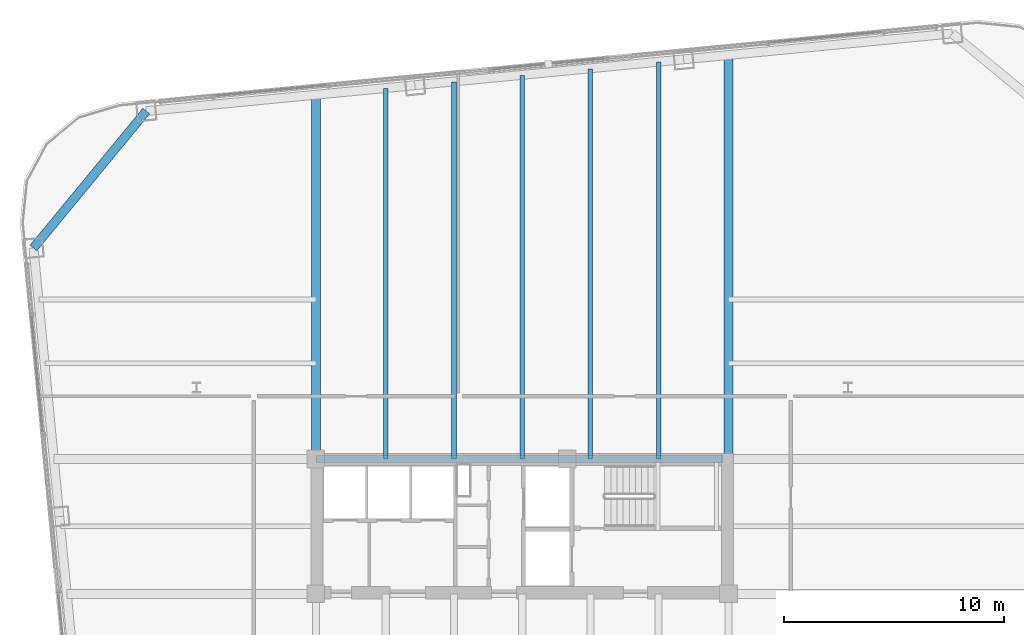
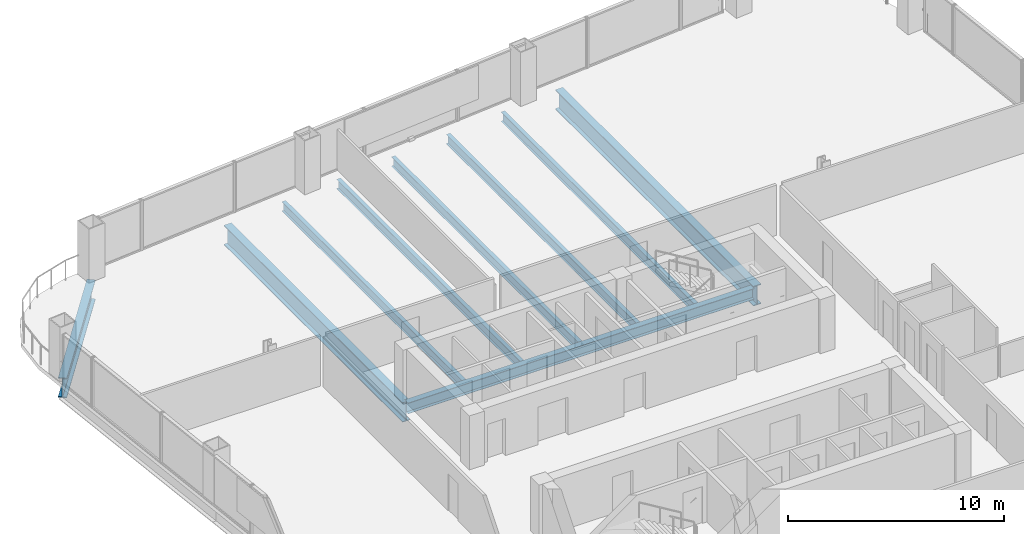
# One storey, part 15 of 26: 9 beams.
"""IFC4 building model written with IfcOpenShell, lengths in metres."""

from ifc_helpers import new_model, si_unit, direction, frame, origin, origin_2d, place, context, subcontext, project, spatial, i_section, extrude, material, material_profile, profile_set, type_object, element, save


model = new_model("IFC4")

# Units and contexts
model_context = context("Model", 3, precision=1e-05, world=origin(), true_north=direction((0.0, 1.0)))
body_context = subcontext(model_context, "Body", "Model", "MODEL_VIEW")
ifc_project = project(units=[si_unit("LENGTHUNIT", "METRE"), si_unit("AREAUNIT", "SQUARE_METRE"), si_unit("VOLUMEUNIT", "CUBIC_METRE"), si_unit("PLANEANGLEUNIT", "RADIAN"), si_unit("MASSUNIT", "GRAM", prefix="KILO")], contexts=[model_context])

# Site, building, storey
site_placement = place(None, origin())
site = spatial("IfcSite", under=ifc_project, at=site_placement, CompositionType="ELEMENT")
building_placement = place(site_placement, origin())
building = spatial("IfcBuilding", under=site, at=building_placement, Name="Qhalaya Broadcast Tower", CompositionType="ELEMENT")
storey_placement = place(building_placement, frame((0.0, 0.0, 72.5)))
storey = spatial("IfcBuildingStorey", under=building, at=storey_placement, Name="L20", CompositionType="ELEMENT", Elevation=72.5)

# Beams
ifc_material = material(Name="Structural Steel ASTM A992 Grade 50", Category="steel")
ifc_material_profile_1 = material_profile(ifc_material, i_section(OverallWidth=0.2099609375, OverallDepth=0.535888671875, WebThickness=0.010986328125, FlangeThickness=0.017333984375, at=origin_2d()), Name="W21X68")
ifc_profile_set_1 = profile_set([ifc_material_profile_1], Name="Structural Steel ASTM A992 Grade 50")
beam_type_1 = type_object("IfcBeamType", Name="Composite Floor Joist J02", PredefinedType="JOIST", material=ifc_profile_set_1)
beam_1_placement = place(storey_placement, frame((-6.199951171875, 9.949951171875, -0.488037109375), z_axis=(0.0, 1.0, 0.0), x_axis=(-1.0, 0.0, 0.0)))
element("IfcBeam", 1, at=beam_1_placement, inside=storey, type_object=beam_type_1, Name="L20 J02 L20-JNN1-1", PredefinedType="JOIST", context=body_context, shape_type="SweptSolid", body=[
    extrude(i_section(OverallWidth=0.2099609375, OverallDepth=0.535888671875, WebThickness=0.010986328125, FlangeThickness=0.017333984375, at=origin_2d()), origin(), (0.0, 0.0, 1.0), 16.843505859375),
])
beam_2_placement = place(storey_placement, frame((-3.10009765625, 9.949951171875, -0.488037109375), z_axis=(0.0, 1.0, 0.0), x_axis=(-1.0, 0.0, 0.0)))
element("IfcBeam", 2, at=beam_2_placement, inside=storey, type_object=beam_type_1, Name="L20 J02 L20-JNN2-1", PredefinedType="JOIST", context=body_context, shape_type="SweptSolid", body=[
    extrude(i_section(OverallWidth=0.2099609375, OverallDepth=0.535888671875, WebThickness=0.010986328125, FlangeThickness=0.017333984375, at=origin_2d()), origin(), (0.0, 0.0, 1.0), 17.14208984375),
])
beam_3_placement = place(storey_placement, frame((0.0, 9.949951171875, -0.488037109375), z_axis=(0.0, 1.0, 0.0), x_axis=(-1.0, 0.0, 0.0)))
element("IfcBeam", 3, at=beam_3_placement, inside=storey, type_object=beam_type_1, Name="L20 J02 L20-JNN3-1", PredefinedType="JOIST", context=body_context, shape_type="SweptSolid", body=[
    extrude(i_section(OverallWidth=0.2099609375, OverallDepth=0.535888671875, WebThickness=0.010986328125, FlangeThickness=0.017333984375, at=origin_2d()), origin(), (0.0, 0.0, 1.0), 17.4404296875),
])
beam_4_placement = place(storey_placement, frame((3.10009765625, 9.949951171875, -0.488037109375), z_axis=(0.0, 1.0, 0.0), x_axis=(-1.0, 0.0, 0.0)))
element("IfcBeam", 4, at=beam_4_placement, inside=storey, type_object=beam_type_1, Name="L20 J02 L20-JNN4-1", PredefinedType="JOIST", context=body_context, shape_type="SweptSolid", body=[
    extrude(i_section(OverallWidth=0.2099609375, OverallDepth=0.535888671875, WebThickness=0.010986328125, FlangeThickness=0.017333984375, at=origin_2d()), origin(), (0.0, 0.0, 1.0), 17.739013671875),
])
beam_5_placement = place(storey_placement, frame((6.199951171875, 9.949951171875, -0.488037109375), z_axis=(0.0, 1.0, 0.0), x_axis=(-1.0, 0.0, 0.0)))
element("IfcBeam", 5, at=beam_5_placement, inside=storey, type_object=beam_type_1, Name="L20 J02 L20-JNN5-1", PredefinedType="JOIST", context=body_context, shape_type="SweptSolid", body=[
    extrude(i_section(OverallWidth=0.2099609375, OverallDepth=0.535888671875, WebThickness=0.010986328125, FlangeThickness=0.017333984375, at=origin_2d()), origin(), (0.0, 0.0, 1.0), 18.03759765625),
])
ifc_material_profile_2 = material_profile(ifc_material, i_section(OverallWidth=0.323974609375, OverallDepth=0.612060546875, WebThickness=0.0126953125, FlangeThickness=0.01904296875, at=origin_2d()), Name="W24X104")
ifc_profile_set_2 = profile_set([ifc_material_profile_2], Name="Structural Steel ASTM A992 Grade 50")
beam_type_2 = type_object("IfcBeamType", Name="Core Frame Tie Beam B04", PredefinedType="BEAM", material=ifc_profile_set_2)
beam_6_placement = place(storey_placement, frame((-9.375, 9.949951171875, -0.52587890625), z_axis=(1.0, 0.0, 0.0), x_axis=(0.0, 1.0, 0.0)))
element("IfcBeam", 6, at=beam_6_placement, inside=storey, type_object=beam_type_2, Name="L20 B04 L20-CCN3", PredefinedType="BEAM", context=body_context, shape_type="SweptSolid", body=[
    extrude(i_section(OverallWidth=0.323974609375, OverallDepth=0.612060546875, WebThickness=0.0126953125, FlangeThickness=0.01904296875, at=origin_2d()), origin(), (0.0, 0.0, 1.0), 18.4951171875),
])
ifc_material_profile_3 = material_profile(ifc_material, i_section(OverallWidth=0.404052734375, OverallDepth=1.117919921875, WebThickness=0.026123046875, FlangeThickness=0.044921875, at=origin_2d()), Name="W44X335")
ifc_profile_set_3 = profile_set([ifc_material_profile_3], Name="Structural Steel ASTM A992 Grade 50")
beam_type_3 = type_object("IfcBeamType", Name="Podium Long-Span Primary Girder PG1", PredefinedType="USERDEFINED", material=ifc_profile_set_3)
beam_7_placement = place(storey_placement, frame((-17.085205078125, 25.765380859375, -0.779052734375), z_axis=(-0.636085107008, -0.771618906354, 0.0), x_axis=(0.771618906354, -0.636085107008, 0.0)))
element("IfcBeam", 7, at=beam_7_placement, inside=storey, type_object=beam_type_3, Name="L20 PG1 L20-SPR-12", ObjectType="GIRDER", PredefinedType="USERDEFINED", context=body_context, shape_type="SweptSolid", body=[
    extrude(i_section(OverallWidth=0.404052734375, OverallDepth=1.117919921875, WebThickness=0.026123046875, FlangeThickness=0.044921875, at=origin_2d()), origin(), (0.0, 0.0, 1.0), 8.06103515625),
])
beam_8_placement = place(storey_placement, frame((-9.375, 9.949951171875, -0.779052734375), z_axis=(0.0, 1.0, 0.0), x_axis=(-1.0, 0.0, 0.0)))
element("IfcBeam", 8, at=beam_8_placement, inside=storey, type_object=beam_type_3, Name="L20 PG1 L20-PGXN1-1", ObjectType="GIRDER", PredefinedType="USERDEFINED", context=body_context, shape_type="SweptSolid", body=[
    extrude(i_section(OverallWidth=0.404052734375, OverallDepth=1.117919921875, WebThickness=0.026123046875, FlangeThickness=0.044921875, at=origin_2d()), origin(), (0.0, 0.0, 1.0), 16.537841796875),
])
beam_9_placement = place(storey_placement, frame((9.375, 9.949951171875, -0.779052734375), z_axis=(0.0, 1.0, 0.0), x_axis=(-1.0, 0.0, 0.0)))
element("IfcBeam", 9, at=beam_9_placement, inside=storey, type_object=beam_type_3, Name="L20 PG1 L20-PGXN2-1", ObjectType="GIRDER", PredefinedType="USERDEFINED", context=body_context, shape_type="SweptSolid", body=[
    extrude(i_section(OverallWidth=0.404052734375, OverallDepth=1.117919921875, WebThickness=0.026123046875, FlangeThickness=0.044921875, at=origin_2d()), origin(), (0.0, 0.0, 1.0), 18.34326171875),
])

save(model, "model.ifc")
